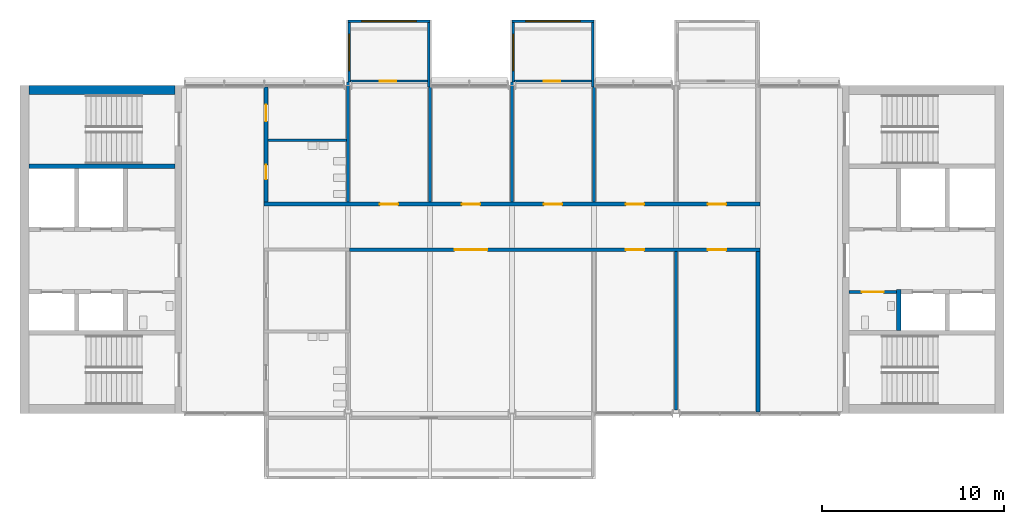
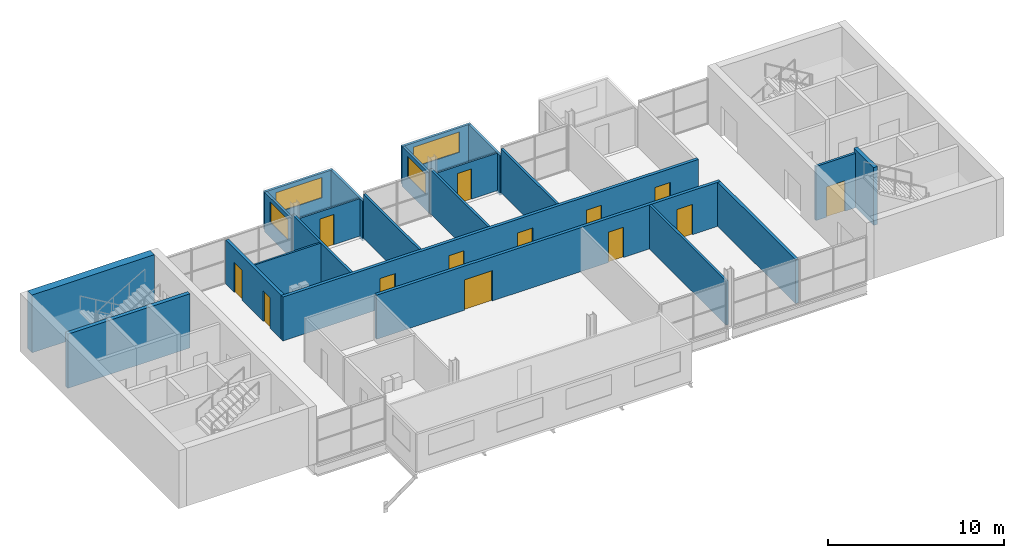
# One storey, part 7 of 12: 22 walls, 13 doors, 4 windows, 17 openings.
"""IFC4 building model written with IfcOpenShell, lengths in metres."""

from ifc_helpers import new_model, si_unit, direction, frame, frame_2d, origin, place, context, subcontext, project, spatial, rectangle, extrude, material, layer, layer_set, type_object, element, fill, save


model = new_model("IFC4")

# Units and contexts
model_context = context("Model", 3, precision=1e-05, world=origin(), true_north=direction((0.0, 1.0)))
body_context = subcontext(model_context, "Body", "Model", "MODEL_VIEW")
ifc_project = project(units=[si_unit("LENGTHUNIT", "METRE"), si_unit("AREAUNIT", "SQUARE_METRE"), si_unit("VOLUMEUNIT", "CUBIC_METRE"), si_unit("PLANEANGLEUNIT", "RADIAN"), si_unit("MASSUNIT", "GRAM", prefix="KILO")], contexts=[model_context])

# Site, building, storey
site_placement = place(None, origin())
site = spatial("IfcSite", under=ifc_project, at=site_placement, CompositionType="ELEMENT")
building_placement = place(site_placement, origin())
building = spatial("IfcBuilding", under=site, at=building_placement, Name="Corbel Yard City Hall", CompositionType="ELEMENT")
storey_placement = place(building_placement, frame((0.0, 0.0, 31.199951171875)))
storey = spatial("IfcBuildingStorey", under=building, at=storey_placement, Name="L07", CompositionType="ELEMENT", Elevation=31.199951171875)

# Walls
ifc_material_1 = material(Name="Concrete N40 (40 MPa)", Category="concrete")
ifc_layer_1 = layer(ifc_material_1, 0.25)
ifc_layer_set_1 = layer_set([ifc_layer_1], Name="Concrete N40 (40 MPa)")
wall_type_1 = type_object("IfcWallType", Name="IW2", PredefinedType="SOLIDWALL", material=ifc_layer_set_1)
wall_1_placement = place(storey_placement, frame((8.5, 112.574951171875, 0.0), z_axis=(0.0, 0.0, 1.0), x_axis=(-1.0, 0.0, 0.0)))
element("IfcWall", 1, at=wall_1_placement, inside=storey, type_object=wall_type_1, Name="Stair enclosure wall", PredefinedType="SOLIDWALL", context=body_context, shape_type="SweptSolid", body=[
    extrude(rectangle(XDim=8.0, YDim=0.25, at=frame_2d((4.0, 0.0))), origin(), (0.0, 0.0, 1.0), 3.75),
])
wall_2_placement = place(storey_placement, frame((48.22509765625, 103.550048828125, 0.0), z_axis=(0.0, 0.0, 1.0), x_axis=(0.0, 1.0, 0.0)))
element("IfcWall", 2, at=wall_2_placement, inside=storey, type_object=wall_type_1, Name="Lift LP25 shaft wall", PredefinedType="SOLIDWALL", context=body_context, shape_type="SweptSolid", body=[
    extrude(rectangle(XDim=2.25, YDim=0.25, at=frame_2d((1.125, 0.0))), origin(), (0.0, 0.0, 1.0), 4.0),
])

# Wall, opening, window
ifc_material_2 = material(Name="Anodised aluminium", Category="aluminium")
ifc_layer_2 = layer(ifc_material_2, 0.02392578125)
ifc_material_3 = material(Name="Steel Grade G550 (550 MPa yield)", Category="steel")
ifc_layer_3 = layer(ifc_material_3, 0.10009765625)
ifc_material_4 = material(Name="Gypsum plasterboard", Category="gypsum")
ifc_layer_4 = layer(ifc_material_4, 0.02587890625)
ifc_layer_set_2 = layer_set([ifc_layer_2, ifc_layer_3, ifc_layer_4], Name="Steel Grade G550 (550 MPa yield)")
wall_type_2 = type_object("IfcWallType", Name="PD1", PredefinedType="SOLIDWALL", material=ifc_layer_set_2)
wall_3_placement = place(storey_placement, frame((18.0, 120.52490234375, 0.0), z_axis=(0.0, 0.0, 1.0), x_axis=(1.0, 0.0, 0.0)))
wall_3 = element("IfcWall", 3, at=wall_3_placement, inside=storey, type_object=wall_type_2, Name="Pod outer wall L07", PredefinedType="SOLIDWALL", context=body_context, shape_type="SweptSolid", body=[
    extrude(rectangle(XDim=4.5, YDim=0.14990234375, at=frame_2d((2.25, 0.0))), origin(), (0.0, 0.0, 1.0), 2.60009765625),
])
opening_1_placement = place(wall_3_placement, frame((0.75, 0.0, 0.89990234375)))
opening_1 = element("IfcOpeningElement", 4, at=opening_1_placement, cuts=wall_3, Name="Opening WN5", PredefinedType="OPENING", context=body_context, shape_type="SweptSolid", body=[
    extrude(rectangle(XDim=3.0, YDim=1.39990234375, at=frame_2d((1.5, 0.699951171875))), frame((0.0, 0.0849609375, 0.0), z_axis=(0.0, -1.0, 0.0), x_axis=(1.0, 0.0, 0.0)), (0.0, 0.0, 1.0), 0.169921875),
])
ifc_material_5 = material(Name="Aluminium frame, double glazed low-e glass", Category="aluminium")
window_type_1 = type_object("IfcWindowType", Name="WN5", PartitioningType="SINGLE_PANEL", PredefinedType="WINDOW", material=ifc_material_5)
window_1_placement = place(opening_1_placement, origin())
window_1 = element("IfcWindow", 5, at=window_1_placement, inside=storey, type_object=window_type_1, Name="Window WN5 L07", OverallHeight=1.39990234375, OverallWidth=3.0, PartitioningType="SINGLE_PANEL", PredefinedType="WINDOW", context=body_context, shape_type="SweptSolid", body=[
    extrude(rectangle(XDim=3.0, YDim=1.39990234375, at=frame_2d((1.5, 0.699951171875))), frame((0.0, 0.030029296875, 0.0), z_axis=(0.0, -1.0, 0.0), x_axis=(1.0, 0.0, 0.0)), (0.0, 0.0, 1.0), 0.06005859375),
])
fill(opening_1, window_1)

wall_4_placement = place(storey_placement, frame((27.0, 120.52490234375, 0.0), z_axis=(0.0, 0.0, 1.0), x_axis=(1.0, 0.0, 0.0)))
wall_4 = element("IfcWall", 6, at=wall_4_placement, inside=storey, type_object=wall_type_2, Name="Pod outer wall L07", PredefinedType="SOLIDWALL", context=body_context, shape_type="SweptSolid", body=[
    extrude(rectangle(XDim=4.5, YDim=0.14990234375, at=frame_2d((2.25, 0.0))), origin(), (0.0, 0.0, 1.0), 2.60009765625),
])
opening_2_placement = place(wall_4_placement, frame((0.75, 0.0, 0.89990234375)))
opening_2 = element("IfcOpeningElement", 7, at=opening_2_placement, cuts=wall_4, Name="Opening WN5", PredefinedType="OPENING", context=body_context, shape_type="SweptSolid", body=[
    extrude(rectangle(XDim=3.0, YDim=1.39990234375, at=frame_2d((1.5, 0.699951171875))), frame((0.0, 0.0849609375, 0.0), z_axis=(0.0, -1.0, 0.0), x_axis=(1.0, 0.0, 0.0)), (0.0, 0.0, 1.0), 0.169921875),
])
window_2_placement = place(opening_2_placement, origin())
window_2 = element("IfcWindow", 8, at=window_2_placement, inside=storey, type_object=window_type_1, Name="Window WN5 L07", OverallHeight=1.39990234375, OverallWidth=3.0, PartitioningType="SINGLE_PANEL", PredefinedType="WINDOW", context=body_context, shape_type="SweptSolid", body=[
    extrude(rectangle(XDim=3.0, YDim=1.39990234375, at=frame_2d((1.5, 0.699951171875))), frame((0.0, 0.030029296875, 0.0), z_axis=(0.0, -1.0, 0.0), x_axis=(1.0, 0.0, 0.0)), (0.0, 0.0, 1.0), 0.06005859375),
])
fill(opening_2, window_2)

# Wall, opening, door
ifc_layer_5 = layer(ifc_material_4, 0.01806640625)
ifc_layer_6 = layer(ifc_material_3, 0.06396484375)
ifc_layer_7 = layer(ifc_material_4, 0.01806640625)
ifc_layer_set_3 = layer_set([ifc_layer_5, ifc_layer_6, ifc_layer_7], Name="Steel Grade G550 (550 MPa yield)")
wall_type_3 = type_object("IfcWallType", Name="PD2", PredefinedType="PARTITIONING", material=ifc_layer_set_3)
wall_5_placement = place(storey_placement, frame((18.14990234375, 117.25, 0.0), z_axis=(0.0, 0.0, 1.0), x_axis=(1.0, 0.0, 0.0)))
wall_5 = element("IfcWall", 9, at=wall_5_placement, inside=storey, type_object=wall_type_3, Name="Pod inner wall L07", PredefinedType="PARTITIONING", context=body_context, shape_type="SweptSolid", body=[
    extrude(rectangle(XDim=4.2001953125, YDim=0.10009765625, at=frame_2d((2.10009765625, 0.0))), origin(), (0.0, 0.0, 1.0), 2.60009765625),
])
opening_3_placement = place(wall_5_placement, frame((1.60009765625, 0.0, 0.0)))
opening_3 = element("IfcOpeningElement", 10, at=opening_3_placement, cuts=wall_5, Name="Opening T2-002", PredefinedType="OPENING", context=body_context, shape_type="SweptSolid", body=[
    extrude(rectangle(XDim=0.89990234375, YDim=2.10009765625, at=frame_2d((0.449951171875, 1.050048828125))), frame((0.0, 0.06005859375, 0.0), z_axis=(0.0, -1.0, 0.0), x_axis=(1.0, 0.0, 0.0)), (0.0, 0.0, 1.0), 0.1201171875),
])
ifc_material_6 = material(Name="Timber, solid core", Category="wood")
door_type_1 = type_object("IfcDoorType", Name="XD6", OperationType="SINGLE_SWING_LEFT", PredefinedType="DOOR", material=ifc_material_6)
door_1_placement = place(opening_3_placement, origin())
door_1 = element("IfcDoor", 11, at=door_1_placement, inside=storey, type_object=door_type_1, Name="Pod door L07", OperationType="SINGLE_SWING_LEFT", OverallHeight=2.10009765625, OverallWidth=0.89990234375, PredefinedType="DOOR", context=body_context, shape_type="SweptSolid", body=[
    extrude(rectangle(XDim=0.89990234375, YDim=2.10009765625, at=frame_2d((0.449951171875, 1.050048828125))), frame((0.0, 0.02490234375, 0.0), z_axis=(0.0, -1.0, 0.0), x_axis=(1.0, 0.0, 0.0)), (0.0, 0.0, 1.0), 0.050048828125),
])
fill(opening_3, door_1)

wall_6_placement = place(storey_placement, frame((27.14990234375, 117.25, 0.0), z_axis=(0.0, 0.0, 1.0), x_axis=(1.0, 0.0, 0.0)))
wall_6 = element("IfcWall", 12, at=wall_6_placement, inside=storey, type_object=wall_type_3, Name="Pod inner wall L07", PredefinedType="PARTITIONING", context=body_context, shape_type="SweptSolid", body=[
    extrude(rectangle(XDim=4.2001953125, YDim=0.10009765625, at=frame_2d((2.10009765625, 0.0))), origin(), (0.0, 0.0, 1.0), 2.60009765625),
])
opening_4_placement = place(wall_6_placement, frame((1.60009765625, 0.0, 0.0)))
opening_4 = element("IfcOpeningElement", 13, at=opening_4_placement, cuts=wall_6, Name="Opening T2-003", PredefinedType="OPENING", context=body_context, shape_type="SweptSolid", body=[
    extrude(rectangle(XDim=0.89990234375, YDim=2.10009765625, at=frame_2d((0.449951171875, 1.050048828125))), frame((0.0, 0.06005859375, 0.0), z_axis=(0.0, -1.0, 0.0), x_axis=(1.0, 0.0, 0.0)), (0.0, 0.0, 1.0), 0.1201171875),
])
door_2_placement = place(opening_4_placement, origin())
door_2 = element("IfcDoor", 14, at=door_2_placement, inside=storey, type_object=door_type_1, Name="Pod door L07", OperationType="SINGLE_SWING_LEFT", OverallHeight=2.10009765625, OverallWidth=0.89990234375, PredefinedType="DOOR", context=body_context, shape_type="SweptSolid", body=[
    extrude(rectangle(XDim=0.89990234375, YDim=2.10009765625, at=frame_2d((0.449951171875, 1.050048828125))), frame((0.0, 0.02490234375, 0.0), z_axis=(0.0, -1.0, 0.0), x_axis=(1.0, 0.0, 0.0)), (0.0, 0.0, 1.0), 0.050048828125),
])
fill(opening_4, door_2)

# Wall, opening, window
ifc_layer_8 = layer(ifc_material_2, 0.02392578125)
ifc_layer_9 = layer(ifc_material_3, 0.10009765625)
ifc_layer_10 = layer(ifc_material_4, 0.02587890625)
ifc_layer_set_4 = layer_set([ifc_layer_8, ifc_layer_9, ifc_layer_10], Name="Steel Grade G550 (550 MPa yield)")
wall_type_4 = type_object("IfcWallType", Name="PD3", PredefinedType="SOLIDWALL", material=ifc_layer_set_4)
wall_7_placement = place(storey_placement, frame((18.074951171875, 120.449951171875, -0.14990234375), z_axis=(0.0, 0.0, 1.0), x_axis=(0.0, -1.0, 0.0)))
wall_7 = element("IfcWall", 15, at=wall_7_placement, inside=storey, type_object=wall_type_4, Name="Pod side wall L07", PredefinedType="SOLIDWALL", context=body_context, shape_type="SweptSolid", body=[
    extrude(rectangle(XDim=3.25, YDim=0.14990234375, at=frame_2d((1.625, 0.0))), origin(), (0.0, 0.0, 1.0), 2.75),
])
opening_5_placement = place(wall_7_placement, frame((0.625, 0.0, 1.050048828125)))
opening_5 = element("IfcOpeningElement", 16, at=opening_5_placement, cuts=wall_7, Name="Opening WN6", PredefinedType="OPENING", context=body_context, shape_type="SweptSolid", body=[
    extrude(rectangle(XDim=2.0, YDim=1.39990234375, at=frame_2d((1.0, 0.699951171875))), frame((0.0, 0.0849609375, 0.0), z_axis=(0.0, -1.0, 0.0), x_axis=(1.0, 0.0, 0.0)), (0.0, 0.0, 1.0), 0.169921875),
])
window_type_2 = type_object("IfcWindowType", Name="WN6", PartitioningType="SINGLE_PANEL", PredefinedType="WINDOW", material=ifc_material_5)
window_3_placement = place(opening_5_placement, origin())
window_3 = element("IfcWindow", 17, at=window_3_placement, inside=storey, type_object=window_type_2, Name="Window WN6 L07", OverallHeight=1.39990234375, OverallWidth=2.0, PartitioningType="SINGLE_PANEL", PredefinedType="WINDOW", context=body_context, shape_type="SweptSolid", body=[
    extrude(rectangle(XDim=2.0, YDim=1.39990234375, at=frame_2d((1.0, 0.699951171875))), frame((0.0, 0.030029296875, 0.0), z_axis=(0.0, -1.0, 0.0), x_axis=(1.0, 0.0, 0.0)), (0.0, 0.0, 1.0), 0.06005859375),
])
fill(opening_5, window_3)

# Wall
wall_8_placement = place(storey_placement, frame((22.425048828125, 120.449951171875, -0.14990234375), z_axis=(0.0, 0.0, 1.0), x_axis=(0.0, -1.0, 0.0)))
element("IfcWall", 18, at=wall_8_placement, inside=storey, type_object=wall_type_4, Name="Pod side wall L07", PredefinedType="SOLIDWALL", context=body_context, shape_type="SweptSolid", body=[
    extrude(rectangle(XDim=3.5400390625, YDim=0.14990234375, at=frame_2d((1.77001953125, 0.0))), origin(), (0.0, 0.0, 1.0), 2.75),
])

# Wall, opening, window
wall_9_placement = place(storey_placement, frame((27.074951171875, 120.449951171875, -0.14990234375), z_axis=(0.0, 0.0, 1.0), x_axis=(0.0, -1.0, 0.0)))
wall_9 = element("IfcWall", 19, at=wall_9_placement, inside=storey, type_object=wall_type_4, Name="Pod side wall L07", PredefinedType="SOLIDWALL", context=body_context, shape_type="SweptSolid", body=[
    extrude(rectangle(XDim=3.25, YDim=0.14990234375, at=frame_2d((1.625, 0.0))), origin(), (0.0, 0.0, 1.0), 2.75),
])
opening_6_placement = place(wall_9_placement, frame((0.625, 0.0, 1.050048828125)))
opening_6 = element("IfcOpeningElement", 20, at=opening_6_placement, cuts=wall_9, Name="Opening WN6", PredefinedType="OPENING", context=body_context, shape_type="SweptSolid", body=[
    extrude(rectangle(XDim=2.0, YDim=1.39990234375, at=frame_2d((1.0, 0.699951171875))), frame((0.0, 0.0849609375, 0.0), z_axis=(0.0, -1.0, 0.0), x_axis=(1.0, 0.0, 0.0)), (0.0, 0.0, 1.0), 0.169921875),
])
window_4_placement = place(opening_6_placement, origin())
window_4 = element("IfcWindow", 21, at=window_4_placement, inside=storey, type_object=window_type_2, Name="Window WN6 L07", OverallHeight=1.39990234375, OverallWidth=2.0, PartitioningType="SINGLE_PANEL", PredefinedType="WINDOW", context=body_context, shape_type="SweptSolid", body=[
    extrude(rectangle(XDim=2.0, YDim=1.39990234375, at=frame_2d((1.0, 0.699951171875))), frame((0.0, 0.030029296875, 0.0), z_axis=(0.0, -1.0, 0.0), x_axis=(1.0, 0.0, 0.0)), (0.0, 0.0, 1.0), 0.06005859375),
])
fill(opening_6, window_4)

# Walls
wall_10_placement = place(storey_placement, frame((31.425048828125, 120.449951171875, -0.14990234375), z_axis=(0.0, 0.0, 1.0), x_axis=(0.0, -1.0, 0.0)))
element("IfcWall", 22, at=wall_10_placement, inside=storey, type_object=wall_type_4, Name="Pod side wall L07", PredefinedType="SOLIDWALL", context=body_context, shape_type="SweptSolid", body=[
    extrude(rectangle(XDim=3.5400390625, YDim=0.14990234375, at=frame_2d((1.77001953125, 0.0))), origin(), (0.0, 0.0, 1.0), 2.75),
])
ifc_layer_11 = layer(ifc_material_4, 0.028076171875)
ifc_layer_12 = layer(ifc_material_3, 0.06396484375)
ifc_layer_13 = layer(ifc_material_4, 0.028076171875)
ifc_layer_set_5 = layer_set([ifc_layer_11, ifc_layer_12, ifc_layer_13], Name="Steel Grade G550 (550 MPa yield)")
wall_type_5 = type_object("IfcWallType", Name="PT1", PredefinedType="PARTITIONING", material=ifc_layer_set_5)
wall_11_placement = place(storey_placement, frame((13.60009765625, 114.0, 0.0), z_axis=(0.0, 0.0, 1.0), x_axis=(1.0, 0.0, 0.0)))
element("IfcWall", 23, at=wall_11_placement, inside=storey, type_object=wall_type_5, Name="Partition", PredefinedType="PARTITIONING", context=body_context, shape_type="SweptSolid", body=[
    extrude(rectangle(XDim=4.324951171875, YDim=0.1201171875, at=frame_2d((2.16259765625, 0.0))), origin(), (0.0, 0.0, 1.0), 3.050048828125),
])

# Wall, openings, doors
ifc_layer_14 = layer(ifc_material_4, 0.031982421875)
ifc_layer_15 = layer(ifc_material_3, 0.135986328125)
ifc_layer_16 = layer(ifc_material_4, 0.031982421875)
ifc_layer_set_6 = layer_set([ifc_layer_14, ifc_layer_15, ifc_layer_16], Name="Steel Grade G550 (550 MPa yield)")
wall_type_6 = type_object("IfcWallType", Name="PT2", PredefinedType="PARTITIONING", material=ifc_layer_set_6)
wall_12_placement = place(storey_placement, frame((18.080078125, 108.0, 0.0), z_axis=(0.0, 0.0, 1.0), x_axis=(1.0, 0.0, 0.0)))
wall_12 = element("IfcWall", 24, at=wall_12_placement, inside=storey, type_object=wall_type_6, Name="Acoustic wall", PredefinedType="PARTITIONING", context=body_context, shape_type="SweptSolid", body=[
    extrude(rectangle(XDim=22.52001953125, YDim=0.199951171875, at=frame_2d((11.260009765625, 0.0))), origin(), (0.0, 0.0, 1.0), 3.050048828125),
])
opening_7_placement = place(wall_12_placement, frame((5.77001953125, 0.0, 0.0)))
opening_7 = element("IfcOpeningElement", 25, at=opening_7_placement, cuts=wall_12, Name="Opening T2-015", PredefinedType="OPENING", context=body_context, shape_type="SweptSolid", body=[
    extrude(rectangle(XDim=1.800048828125, YDim=2.10009765625, at=frame_2d((0.89990234375, 1.050048828125))), frame((0.0, 0.10986328125, 0.0), z_axis=(0.0, -1.0, 0.0), x_axis=(1.0, 0.0, 0.0)), (0.0, 0.0, 1.0), 0.219970703125),
])
opening_8_placement = place(wall_12_placement, frame((15.169921875, 0.0, 0.0)))
opening_8 = element("IfcOpeningElement", 26, at=opening_8_placement, cuts=wall_12, Name="Opening T2-016", PredefinedType="OPENING", context=body_context, shape_type="SweptSolid", body=[
    extrude(rectangle(XDim=1.0, YDim=2.10009765625, at=frame_2d((0.5, 1.050048828125))), frame((0.0, 0.10986328125, 0.0), z_axis=(0.0, -1.0, 0.0), x_axis=(1.0, 0.0, 0.0)), (0.0, 0.0, 1.0), 0.219970703125),
])
opening_9_placement = place(wall_12_placement, frame((19.669921875, 0.0, 0.0)))
opening_9 = element("IfcOpeningElement", 27, at=opening_9_placement, cuts=wall_12, Name="Opening T2-017", PredefinedType="OPENING", context=body_context, shape_type="SweptSolid", body=[
    extrude(rectangle(XDim=1.0, YDim=2.10009765625, at=frame_2d((0.5, 1.050048828125))), frame((0.0, 0.10986328125, 0.0), z_axis=(0.0, -1.0, 0.0), x_axis=(1.0, 0.0, 0.0)), (0.0, 0.0, 1.0), 0.219970703125),
])
ifc_material_7 = material(Name="Timber", Category="wood")
door_type_2 = type_object("IfcDoorType", Name="D1", OperationType="SINGLE_SWING_LEFT", PredefinedType="DOOR", material=ifc_material_7)
door_3_placement = place(opening_8_placement, frame((1.0, 0.0, 0.0), z_axis=(0.0, 0.0, 1.0), x_axis=(-1.0, 0.0, 0.0)))
door_3 = element("IfcDoor", 28, at=door_3_placement, inside=storey, type_object=door_type_2, Name="Door Councillors' Suite 0707", OperationType="SINGLE_SWING_RIGHT", OverallHeight=2.10009765625, OverallWidth=1.0, PredefinedType="DOOR", context=body_context, shape_type="SweptSolid", body=[
    extrude(rectangle(XDim=1.0, YDim=2.10009765625, at=frame_2d((0.5, 1.050048828125))), frame((0.0, 0.02490234375, 0.0), z_axis=(0.0, -1.0, 0.0), x_axis=(1.0, 0.0, 0.0)), (0.0, 0.0, 1.0), 0.050048828125),
])
fill(opening_8, door_3)
door_4_placement = place(opening_9_placement, frame((1.0, 0.0, 0.0), z_axis=(0.0, 0.0, 1.0), x_axis=(-1.0, 0.0, 0.0)))
door_4 = element("IfcDoor", 29, at=door_4_placement, inside=storey, type_object=door_type_2, Name="Door Councillors' Suite 0708", OperationType="SINGLE_SWING_RIGHT", OverallHeight=2.10009765625, OverallWidth=1.0, PredefinedType="DOOR", context=body_context, shape_type="SweptSolid", body=[
    extrude(rectangle(XDim=1.0, YDim=2.10009765625, at=frame_2d((0.5, 1.050048828125))), frame((0.0, 0.02490234375, 0.0), z_axis=(0.0, -1.0, 0.0), x_axis=(1.0, 0.0, 0.0)), (0.0, 0.0, 1.0), 0.050048828125),
])
fill(opening_9, door_4)
door_type_3 = type_object("IfcDoorType", Name="D3", OperationType="DOUBLE_DOOR_SINGLE_SWING", PredefinedType="DOOR", material=ifc_material_7)
door_5_placement = place(opening_7_placement, origin())
door_5 = element("IfcDoor", 30, at=door_5_placement, inside=storey, type_object=door_type_3, Name="Door Councillors' Group Room 0706", OperationType="DOUBLE_DOOR_SINGLE_SWING", OverallHeight=2.10009765625, OverallWidth=1.800048828125, PredefinedType="DOOR", context=body_context, shape_type="SweptSolid", body=[
    extrude(rectangle(XDim=1.800048828125, YDim=2.10009765625, at=frame_2d((0.89990234375, 1.050048828125))), frame((0.0, 0.02490234375, 0.0), z_axis=(0.0, -1.0, 0.0), x_axis=(1.0, 0.0, 0.0)), (0.0, 0.0, 1.0), 0.050048828125),
])
fill(opening_7, door_5)

wall_13_placement = place(storey_placement, frame((13.39990234375, 110.5, 0.0), z_axis=(0.0, 0.0, 1.0), x_axis=(1.0, 0.0, 0.0)))
wall_13 = element("IfcWall", 31, at=wall_13_placement, inside=storey, type_object=wall_type_6, Name="Acoustic wall", PredefinedType="PARTITIONING", context=body_context, shape_type="SweptSolid", body=[
    extrude(rectangle(XDim=27.2001953125, YDim=0.199951171875, at=frame_2d((13.60009765625, 0.0))), origin(), (0.0, 0.0, 1.0), 3.050048828125),
])
opening_10_placement = place(wall_13_placement, frame((6.35009765625, 0.0, 0.0)))
opening_10 = element("IfcOpeningElement", 32, at=opening_10_placement, cuts=wall_13, Name="Opening T2-020", PredefinedType="OPENING", context=body_context, shape_type="SweptSolid", body=[
    extrude(rectangle(XDim=1.0, YDim=2.10009765625, at=frame_2d((0.5, 1.050048828125))), frame((0.0, 0.10986328125, 0.0), z_axis=(0.0, -1.0, 0.0), x_axis=(1.0, 0.0, 0.0)), (0.0, 0.0, 1.0), 0.219970703125),
])
opening_11_placement = place(wall_13_placement, frame((10.85009765625, 0.0, 0.0)))
opening_11 = element("IfcOpeningElement", 33, at=opening_11_placement, cuts=wall_13, Name="Opening T2-021", PredefinedType="OPENING", context=body_context, shape_type="SweptSolid", body=[
    extrude(rectangle(XDim=1.0, YDim=2.10009765625, at=frame_2d((0.5, 1.050048828125))), frame((0.0, 0.10986328125, 0.0), z_axis=(0.0, -1.0, 0.0), x_axis=(1.0, 0.0, 0.0)), (0.0, 0.0, 1.0), 0.219970703125),
])
opening_12_placement = place(wall_13_placement, frame((15.35009765625, 0.0, 0.0)))
opening_12 = element("IfcOpeningElement", 34, at=opening_12_placement, cuts=wall_13, Name="Opening T2-022", PredefinedType="OPENING", context=body_context, shape_type="SweptSolid", body=[
    extrude(rectangle(XDim=1.0, YDim=2.10009765625, at=frame_2d((0.5, 1.050048828125))), frame((0.0, 0.10986328125, 0.0), z_axis=(0.0, -1.0, 0.0), x_axis=(1.0, 0.0, 0.0)), (0.0, 0.0, 1.0), 0.219970703125),
])
opening_13_placement = place(wall_13_placement, frame((19.85009765625, 0.0, 0.0)))
opening_13 = element("IfcOpeningElement", 35, at=opening_13_placement, cuts=wall_13, Name="Opening T2-023", PredefinedType="OPENING", context=body_context, shape_type="SweptSolid", body=[
    extrude(rectangle(XDim=1.0, YDim=2.10009765625, at=frame_2d((0.5, 1.050048828125))), frame((0.0, 0.10986328125, 0.0), z_axis=(0.0, -1.0, 0.0), x_axis=(1.0, 0.0, 0.0)), (0.0, 0.0, 1.0), 0.219970703125),
])
opening_14_placement = place(wall_13_placement, frame((24.35009765625, 0.0, 0.0)))
opening_14 = element("IfcOpeningElement", 36, at=opening_14_placement, cuts=wall_13, Name="Opening T2-024", PredefinedType="OPENING", context=body_context, shape_type="SweptSolid", body=[
    extrude(rectangle(XDim=1.0, YDim=2.10009765625, at=frame_2d((0.5, 1.050048828125))), frame((0.0, 0.10986328125, 0.0), z_axis=(0.0, -1.0, 0.0), x_axis=(1.0, 0.0, 0.0)), (0.0, 0.0, 1.0), 0.219970703125),
])
door_6_placement = place(opening_10_placement, origin())
door_6 = element("IfcDoor", 37, at=door_6_placement, inside=storey, type_object=door_type_2, Name="Door Councillors' Suite 0711", OperationType="SINGLE_SWING_LEFT", OverallHeight=2.10009765625, OverallWidth=1.0, PredefinedType="DOOR", context=body_context, shape_type="SweptSolid", body=[
    extrude(rectangle(XDim=1.0, YDim=2.10009765625, at=frame_2d((0.5, 1.050048828125))), frame((0.0, 0.02490234375, 0.0), z_axis=(0.0, -1.0, 0.0), x_axis=(1.0, 0.0, 0.0)), (0.0, 0.0, 1.0), 0.050048828125),
])
fill(opening_10, door_6)
door_7_placement = place(opening_11_placement, origin())
door_7 = element("IfcDoor", 38, at=door_7_placement, inside=storey, type_object=door_type_2, Name="Door Councillors' Suite 0712", OperationType="SINGLE_SWING_LEFT", OverallHeight=2.10009765625, OverallWidth=1.0, PredefinedType="DOOR", context=body_context, shape_type="SweptSolid", body=[
    extrude(rectangle(XDim=1.0, YDim=2.10009765625, at=frame_2d((0.5, 1.050048828125))), frame((0.0, 0.02490234375, 0.0), z_axis=(0.0, -1.0, 0.0), x_axis=(1.0, 0.0, 0.0)), (0.0, 0.0, 1.0), 0.050048828125),
])
fill(opening_11, door_7)
door_8_placement = place(opening_12_placement, origin())
door_8 = element("IfcDoor", 39, at=door_8_placement, inside=storey, type_object=door_type_2, Name="Door Councillors' Suite 0713", OperationType="SINGLE_SWING_LEFT", OverallHeight=2.10009765625, OverallWidth=1.0, PredefinedType="DOOR", context=body_context, shape_type="SweptSolid", body=[
    extrude(rectangle(XDim=1.0, YDim=2.10009765625, at=frame_2d((0.5, 1.050048828125))), frame((0.0, 0.02490234375, 0.0), z_axis=(0.0, -1.0, 0.0), x_axis=(1.0, 0.0, 0.0)), (0.0, 0.0, 1.0), 0.050048828125),
])
fill(opening_12, door_8)
door_9_placement = place(opening_13_placement, origin())
door_9 = element("IfcDoor", 40, at=door_9_placement, inside=storey, type_object=door_type_2, Name="Door Councillors' Suite 0714", OperationType="SINGLE_SWING_LEFT", OverallHeight=2.10009765625, OverallWidth=1.0, PredefinedType="DOOR", context=body_context, shape_type="SweptSolid", body=[
    extrude(rectangle(XDim=1.0, YDim=2.10009765625, at=frame_2d((0.5, 1.050048828125))), frame((0.0, 0.02490234375, 0.0), z_axis=(0.0, -1.0, 0.0), x_axis=(1.0, 0.0, 0.0)), (0.0, 0.0, 1.0), 0.050048828125),
])
fill(opening_13, door_9)
door_10_placement = place(opening_14_placement, origin())
door_10 = element("IfcDoor", 41, at=door_10_placement, inside=storey, type_object=door_type_2, Name="Door Councillors' Suite 0715", OperationType="SINGLE_SWING_LEFT", OverallHeight=2.10009765625, OverallWidth=1.0, PredefinedType="DOOR", context=body_context, shape_type="SweptSolid", body=[
    extrude(rectangle(XDim=1.0, YDim=2.10009765625, at=frame_2d((0.5, 1.050048828125))), frame((0.0, 0.02490234375, 0.0), z_axis=(0.0, -1.0, 0.0), x_axis=(1.0, 0.0, 0.0)), (0.0, 0.0, 1.0), 0.050048828125),
])
fill(opening_14, door_10)

wall_14_placement = place(storey_placement, frame((13.5, 110.60009765625, 0.0), z_axis=(0.0, 0.0, 1.0), x_axis=(0.0, 1.0, 0.0)))
wall_14 = element("IfcWall", 42, at=wall_14_placement, inside=storey, type_object=wall_type_6, Name="Acoustic wall", PredefinedType="PARTITIONING", context=body_context, shape_type="SweptSolid", body=[
    extrude(rectangle(XDim=6.309814453125, YDim=0.199951171875, at=frame_2d((3.15478515625, 0.0))), origin(), (0.0, 0.0, 1.0), 3.050048828125),
])
opening_15_placement = place(wall_14_placement, frame((1.25, 0.0, 0.0)))
opening_15 = element("IfcOpeningElement", 43, at=opening_15_placement, cuts=wall_14, Name="Opening T2-018", PredefinedType="OPENING", context=body_context, shape_type="SweptSolid", body=[
    extrude(rectangle(XDim=0.800048828125, YDim=2.10009765625, at=frame_2d((0.39990234375, 1.050048828125))), frame((0.0, 0.10986328125, 0.0), z_axis=(0.0, -1.0, 0.0), x_axis=(1.0, 0.0, 0.0)), (0.0, 0.0, 1.0), 0.219970703125),
])
opening_16_placement = place(wall_14_placement, frame((4.43994140625, 0.0, 0.0)))
opening_16 = element("IfcOpeningElement", 44, at=opening_16_placement, cuts=wall_14, Name="Opening T2-019", PredefinedType="OPENING", context=body_context, shape_type="SweptSolid", body=[
    extrude(rectangle(XDim=0.919921875, YDim=2.10009765625, at=frame_2d((0.4599609375, 1.050048828125))), frame((0.0, 0.10986328125, 0.0), z_axis=(0.0, -1.0, 0.0), x_axis=(1.0, 0.0, 0.0)), (0.0, 0.0, 1.0), 0.219970703125),
])
door_type_4 = type_object("IfcDoorType", Name="D4", OperationType="SINGLE_SWING_LEFT", PredefinedType="DOOR", material=ifc_material_7)
door_11_placement = place(opening_16_placement, frame((0.919921875, 0.0, 0.0), z_axis=(0.0, 0.0, 1.0), x_axis=(-1.0, 0.0, 0.0)))
door_11 = element("IfcDoor", 45, at=door_11_placement, inside=storey, type_object=door_type_4, Name="Door Pantry 0710", OperationType="SINGLE_SWING_RIGHT", OverallHeight=2.10009765625, OverallWidth=0.919921875, PredefinedType="DOOR", context=body_context, shape_type="SweptSolid", body=[
    extrude(rectangle(XDim=0.919921875, YDim=2.10009765625, at=frame_2d((0.4599609375, 1.050048828125))), frame((0.0, 0.02490234375, 0.0), z_axis=(0.0, -1.0, 0.0), x_axis=(1.0, 0.0, 0.0)), (0.0, 0.0, 1.0), 0.050048828125),
])
fill(opening_16, door_11)
door_type_5 = type_object("IfcDoorType", Name="D44", OperationType="SINGLE_SWING_LEFT", PredefinedType="DOOR", material=ifc_material_7)
door_12_placement = place(opening_15_placement, frame((0.800048828125, 0.0, 0.0), z_axis=(0.0, 0.0, 1.0), x_axis=(-1.0, 0.0, 0.0)))
door_12 = element("IfcDoor", 46, at=door_12_placement, inside=storey, type_object=door_type_5, Name="Door Men's WC 0709", OperationType="SINGLE_SWING_RIGHT", OverallHeight=2.10009765625, OverallWidth=0.800048828125, PredefinedType="DOOR", context=body_context, shape_type="SweptSolid", body=[
    extrude(rectangle(XDim=0.800048828125, YDim=2.10009765625, at=frame_2d((0.39990234375, 1.050048828125))), frame((0.0, 0.02490234375, 0.0), z_axis=(0.0, -1.0, 0.0), x_axis=(1.0, 0.0, 0.0)), (0.0, 0.0, 1.0), 0.050048828125),
])
fill(opening_15, door_12)

# Wall
wall_15_placement = place(storey_placement, frame((40.5, 99.074951171875, 0.0), z_axis=(0.0, 0.0, 1.0), x_axis=(0.0, 1.0, 0.0)))
element("IfcWall", 47, at=wall_15_placement, inside=storey, type_object=wall_type_6, Name="Acoustic wall", PredefinedType="PARTITIONING", context=body_context, shape_type="SweptSolid", body=[
    extrude(rectangle(XDim=8.824951171875, YDim=0.199951171875, at=frame_2d((4.41259765625, 0.0))), origin(), (0.0, 0.0, 1.0), 3.050048828125),
])

# Wall, opening, door
ifc_layer_17 = layer(ifc_material_4, 0.031982421875)
ifc_layer_18 = layer(ifc_material_3, 0.095947265625)
ifc_layer_19 = layer(ifc_material_4, 0.031982421875)
ifc_layer_set_7 = layer_set([ifc_layer_17, ifc_layer_18, ifc_layer_19], Name="Steel Grade G550 (550 MPa yield)")
wall_type_7 = type_object("IfcWallType", Name="PT3", PredefinedType="PARTITIONING", material=ifc_layer_set_7)
wall_16_placement = place(storey_placement, frame((45.5, 105.675048828125, 0.0), z_axis=(0.0, 0.0, 1.0), x_axis=(1.0, 0.0, 0.0)))
wall_16 = element("IfcWall", 48, at=wall_16_placement, inside=storey, type_object=wall_type_7, Name="Accessible WC wall", PredefinedType="PARTITIONING", context=body_context, shape_type="SweptSolid", body=[
    extrude(rectangle(XDim=2.60009765625, YDim=0.159912109375, at=frame_2d((1.300048828125, 0.0))), origin(), (0.0, 0.0, 1.0), 3.75),
])
opening_17_placement = place(wall_16_placement, frame((0.699951171875, 0.0, 0.0)))
opening_17 = element("IfcOpeningElement", 49, at=opening_17_placement, cuts=wall_16, Name="Opening T2-033", PredefinedType="OPENING", context=body_context, shape_type="SweptSolid", body=[
    extrude(rectangle(XDim=1.199951171875, YDim=2.10009765625, at=frame_2d((0.60009765625, 1.050048828125))), frame((0.0, 0.08984375, 0.0), z_axis=(0.0, -1.0, 0.0), x_axis=(1.0, 0.0, 0.0)), (0.0, 0.0, 1.0), 0.179931640625),
])
ifc_material_8 = material(Name="Steel Grade G250", Category="steel")
door_type_6 = type_object("IfcDoorType", Name="FD7", OperationType="SINGLE_SWING_LEFT", PredefinedType="DOOR", material=ifc_material_8)
door_13_placement = place(opening_17_placement, frame((1.199951171875, 0.0, 0.0), z_axis=(0.0, 0.0, 1.0), x_axis=(-1.0, 0.0, 0.0)))
door_13 = element("IfcDoor", 50, at=door_13_placement, inside=storey, type_object=door_type_6, Name="Door accessible WC East", OperationType="SINGLE_SWING_RIGHT", OverallHeight=2.10009765625, OverallWidth=1.199951171875, PredefinedType="DOOR", context=body_context, shape_type="SweptSolid", body=[
    extrude(rectangle(XDim=1.199951171875, YDim=2.10009765625, at=frame_2d((0.60009765625, 1.050048828125))), frame((0.0, 0.02490234375, 0.0), z_axis=(0.0, -1.0, 0.0), x_axis=(1.0, 0.0, 0.0)), (0.0, 0.0, 1.0), 0.050048828125),
])
fill(opening_17, door_13)

# Walls
ifc_layer_20 = layer(ifc_material_4, 0.031982421875)
ifc_layer_21 = layer(ifc_material_3, 0.0859375)
ifc_layer_22 = layer(ifc_material_4, 0.031982421875)
ifc_layer_set_8 = layer_set([ifc_layer_20, ifc_layer_21, ifc_layer_22], Name="Steel Grade G550 (550 MPa yield)")
wall_type_8 = type_object("IfcWallType", Name="PT7", PredefinedType="PARTITIONING", material=ifc_layer_set_8)
wall_17_placement = place(storey_placement, frame((18.0, 110.60009765625, 0.0), z_axis=(0.0, 0.0, 1.0), x_axis=(0.0, 1.0, 0.0)))
element("IfcWall", 51, at=wall_17_placement, inside=storey, type_object=wall_type_8, Name="Suite partition", PredefinedType="PARTITIONING", context=body_context, shape_type="SweptSolid", body=[
    extrude(rectangle(XDim=6.599853515625, YDim=0.14990234375, at=frame_2d((3.2998046875, 0.0))), origin(), (0.0, 0.0, 1.0), 3.050048828125),
])
wall_18_placement = place(storey_placement, frame((22.5, 110.60009765625, 0.0), z_axis=(0.0, 0.0, 1.0), x_axis=(0.0, 1.0, 0.0)))
element("IfcWall", 52, at=wall_18_placement, inside=storey, type_object=wall_type_8, Name="Suite partition", PredefinedType="PARTITIONING", context=body_context, shape_type="SweptSolid", body=[
    extrude(rectangle(XDim=6.309814453125, YDim=0.14990234375, at=frame_2d((3.15478515625, 0.0))), origin(), (0.0, 0.0, 1.0), 3.050048828125),
])
wall_19_placement = place(storey_placement, frame((27.0, 110.60009765625, 0.0), z_axis=(0.0, 0.0, 1.0), x_axis=(0.0, 1.0, 0.0)))
element("IfcWall", 53, at=wall_19_placement, inside=storey, type_object=wall_type_8, Name="Suite partition", PredefinedType="PARTITIONING", context=body_context, shape_type="SweptSolid", body=[
    extrude(rectangle(XDim=6.599853515625, YDim=0.14990234375, at=frame_2d((3.2998046875, 0.0))), origin(), (0.0, 0.0, 1.0), 3.050048828125),
])
wall_20_placement = place(storey_placement, frame((31.5, 110.60009765625, 0.0), z_axis=(0.0, 0.0, 1.0), x_axis=(0.0, 1.0, 0.0)))
element("IfcWall", 54, at=wall_20_placement, inside=storey, type_object=wall_type_8, Name="Suite partition", PredefinedType="PARTITIONING", context=body_context, shape_type="SweptSolid", body=[
    extrude(rectangle(XDim=6.309814453125, YDim=0.14990234375, at=frame_2d((3.15478515625, 0.0))), origin(), (0.0, 0.0, 1.0), 3.050048828125),
])
wall_21_placement = place(storey_placement, frame((36.0, 99.20703125, 0.0), z_axis=(0.0, 0.0, 1.0), x_axis=(0.0, 1.0, 0.0)))
element("IfcWall", 55, at=wall_21_placement, inside=storey, type_object=wall_type_8, Name="Suite partition", PredefinedType="PARTITIONING", context=body_context, shape_type="SweptSolid", body=[
    extrude(rectangle(XDim=8.69287109375, YDim=0.14990234375, at=frame_2d((4.346435546875, 0.0))), origin(), (0.0, 0.0, 1.0), 3.050048828125),
])
ifc_material_9 = material(Name="Concrete N50 (50 MPa)", Category="concrete")
ifc_layer_23 = layer(ifc_material_9, 0.5)
ifc_layer_set_9 = layer_set([ifc_layer_23], Name="Concrete N50 (50 MPa)")
wall_type_9 = type_object("IfcWallType", Name="Trunk wall 500", PredefinedType="SHEAR", material=ifc_layer_set_9)
wall_22_placement = place(storey_placement, frame((0.5, 116.75, 0.0), z_axis=(0.0, 0.0, 1.0), x_axis=(1.0, 0.0, 0.0)))
element("IfcWall", 56, at=wall_22_placement, inside=storey, type_object=wall_type_9, Name="Trunk W north wall", PredefinedType="SHEAR", context=body_context, shape_type="SweptSolid", body=[
    extrude(rectangle(XDim=8.0, YDim=0.5, at=frame_2d((4.0, 0.0))), origin(), (0.0, 0.0, 1.0), 4.0),
])

save(model, "model.ifc")
